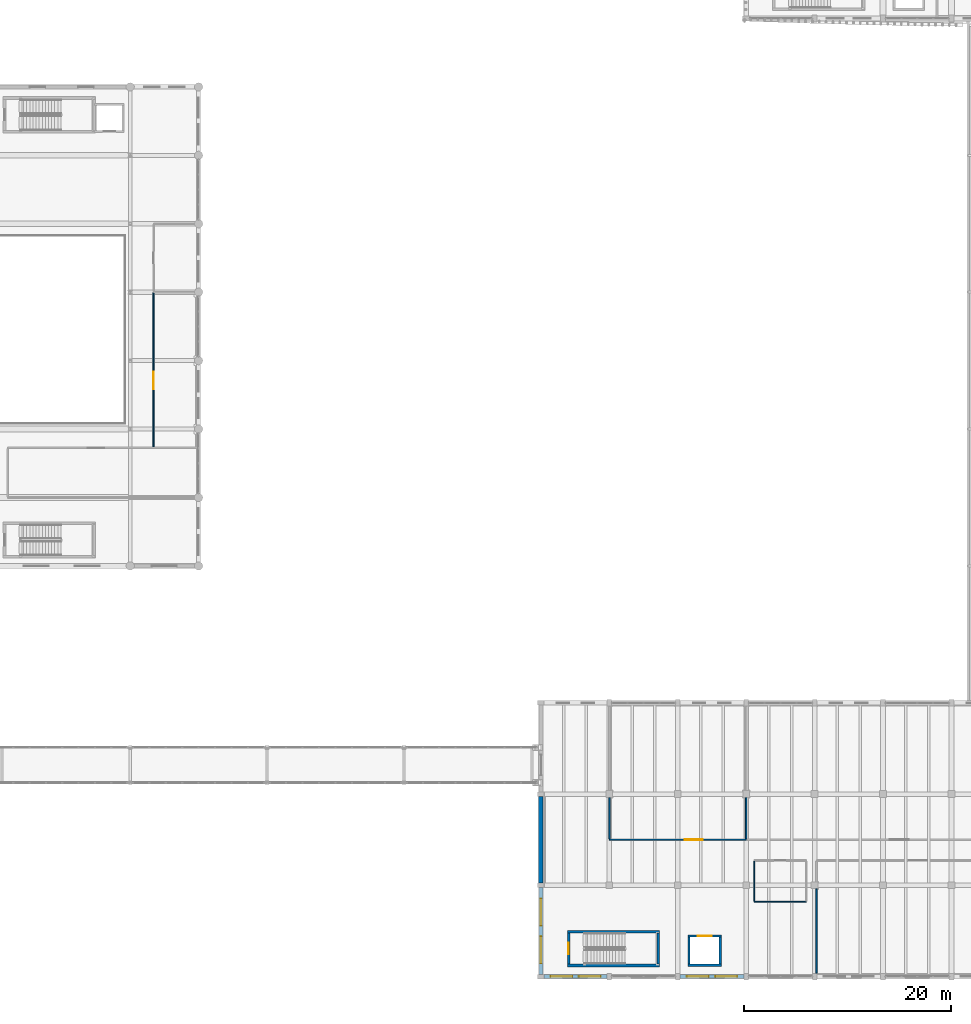
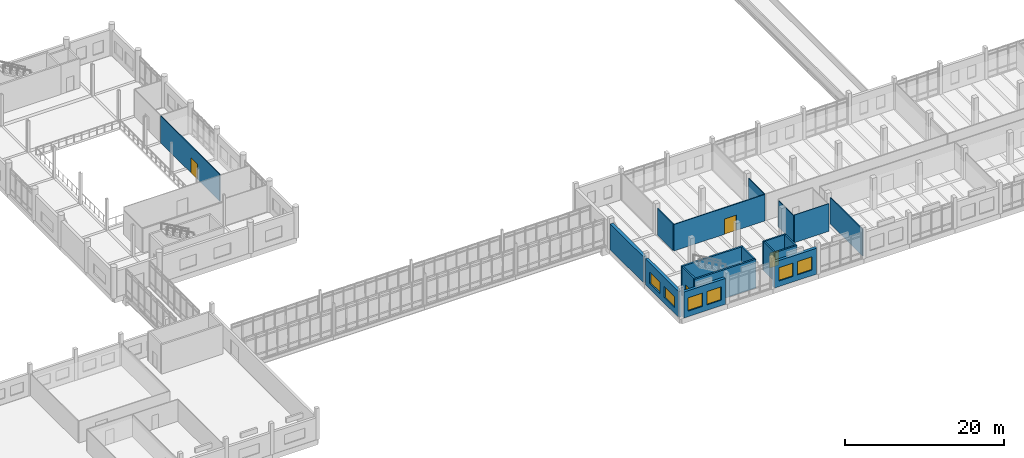
# One storey, part 67 of 101: 19 walls, 6 windows, 4 doors, 10 openings.
"""IFC4 building model written with IfcOpenShell, lengths in metres."""

from ifc_helpers import new_model, si_unit, direction, frame, frame_2d, origin, place, context, subcontext, project, spatial, rectangle, extrude, material, layer, layer_set, type_object, element, fill, save


model = new_model("IFC4")

# Units and contexts
model_context = context("Model", 3, precision=1e-05, world=origin(), true_north=direction((0.0, 1.0)))
body_context = subcontext(model_context, "Body", "Model", "MODEL_VIEW")
ifc_project = project(units=[si_unit("LENGTHUNIT", "METRE"), si_unit("AREAUNIT", "SQUARE_METRE"), si_unit("VOLUMEUNIT", "CUBIC_METRE"), si_unit("PLANEANGLEUNIT", "RADIAN"), si_unit("MASSUNIT", "GRAM", prefix="KILO")], contexts=[model_context])

# Site, building, storey
site_placement = place(None, origin())
site = spatial("IfcSite", under=ifc_project, at=site_placement, CompositionType="ELEMENT")
building_placement = place(site_placement, origin())
building = spatial("IfcBuilding", under=site, at=building_placement, Name="Dornvale Research Institute", CompositionType="ELEMENT")
storey_placement = place(building_placement, frame((0.0, 0.0, 10.199951171875)))
storey = spatial("IfcBuildingStorey", under=building, at=storey_placement, Name="L02", CompositionType="ELEMENT", Elevation=10.199951171875)

# Wall, opening, door
ifc_material_1 = material(Name="Epoxy-Coated Aluminum Honeycomb Cleanroom Partition", Category="aluminium")
ifc_layer_1 = layer(ifc_material_1, 0.139892578125)
ifc_layer_set_1 = layer_set([ifc_layer_1], Name="Epoxy-Coated Aluminum Honeycomb Cleanroom Partition")
wall_type_1 = type_object("IfcWallType", Name="Partition_Cleanroom_140", PredefinedType="PARTITIONING", material=ifc_layer_set_1)
wall_1_placement = place(storey_placement, frame((105.60009765625, 13.199951171875, 0.0), z_axis=(0.0, 0.0, 1.0), x_axis=(1.0, 0.0, 0.0)))
wall_1 = element("IfcWall", 1, at=wall_1_placement, inside=storey, type_object=wall_type_1, Name="L02 V3 interior partition #291", PredefinedType="PARTITIONING", context=body_context, shape_type="SweptSolid", body=[
    extrude(rectangle(XDim=13.199951171875, YDim=0.139892578125, at=frame_2d((6.60009765625, 0.0))), origin(), (0.0, 0.0, 1.0), 4.06494140625),
])
opening_1_placement = place(wall_1_placement, frame((7.2900390625, 0.0, 0.0)))
opening_1 = element("IfcOpeningElement", 2, at=opening_1_placement, cuts=wall_1, Name="Opening ID-03", PredefinedType="OPENING", context=body_context, shape_type="SweptSolid", body=[
    extrude(rectangle(XDim=1.719970703125, YDim=2.35009765625, at=frame_2d((0.85986328125, 1.175048828125))), frame((0.0, 0.0849609375, 0.0), z_axis=(0.0, -1.0, 0.0), x_axis=(1.0, 0.0, 0.0)), (0.0, 0.0, 1.0), 0.169921875),
])
ifc_material_2 = material(Name="Insulated Fire-Rated Hollow Metal Door Assembly")
door_type_1 = type_object("IfcDoorType", Name="Door_CleanBay_1720x2350", OperationType="SINGLE_SWING_LEFT", PredefinedType="DOOR", material=ifc_material_2)
door_1_placement = place(opening_1_placement, origin())
door_1 = element("IfcDoor", 3, at=door_1_placement, inside=storey, type_object=door_type_1, Name="L02 Bio-MEMS Gowning Airlock L02 door #118", OperationType="DOUBLE_DOOR_SINGLE_SWING", OverallHeight=2.35009765625, OverallWidth=1.719970703125, PredefinedType="DOOR", context=body_context, shape_type="SweptSolid", body=[
    extrude(rectangle(XDim=1.719970703125, YDim=2.35009765625, at=frame_2d((0.85986328125, 1.175048828125))), frame((0.0, 0.02490234375, 0.0), z_axis=(0.0, -1.0, 0.0), x_axis=(1.0, 0.0, 0.0)), (0.0, 0.0, 1.0), 0.050048828125),
])
fill(opening_1, door_1)

# Walls
for number, where, z_axis, x_axis, name in (
    (4, (105.60009765625, 13.284912109375, 0.0), (0.0, 0.0, 1.0), (0.0, 1.0, 0.0), "L02 V3 interior partition #292"),
    (5, (118.800048828125, 13.284912109375, 0.0), (0.0, 0.0, 1.0), (0.0, 1.0, 0.0), "L02 V3 interior partition #294"),
):
    element("IfcWall", number, at=place(storey_placement, frame(where, z_axis=z_axis, x_axis=x_axis)), inside=storey, type_object=wall_type_1, Name=name, PredefinedType="PARTITIONING", context=body_context, shape_type="SweptSolid", body=[
        extrude(rectangle(XDim=3.969970703125, YDim=0.139892578125, at=frame_2d((1.98486328125, 0.0))), origin(), (0.0, 0.0, 1.0), 4.06494140625),
    ])
wall_2_placement = place(storey_placement, frame((125.60009765625, 0.344970703125, 0.0), z_axis=(0.0, 0.0, 1.0), x_axis=(0.0, 1.0, 0.0)))
element("IfcWall", 6, at=wall_2_placement, inside=storey, type_object=wall_type_1, Name="L02 V3 interior partition #303", PredefinedType="PARTITIONING", context=body_context, shape_type="SweptSolid", body=[
    extrude(rectangle(XDim=8.110107421875, YDim=0.139892578125, at=frame_2d((4.05517578125, 0.0))), origin(), (0.0, 0.0, 1.0), 4.06494140625),
])

# Wall, opening, door
ifc_material_3 = material(Name="Acoustic Insulated Double-Stud Laboratory Partition")
ifc_layer_2 = layer(ifc_material_3, 0.1201171875)
ifc_layer_set_2 = layer_set([ifc_layer_2], Name="Acoustic Insulated Double-Stud Laboratory Partition")
wall_type_2 = type_object("IfcWallType", Name="Partition_Dry_120", PredefinedType="PARTITIONING", material=ifc_layer_set_2)
wall_3_placement = place(storey_placement, frame((61.64990234375, 51.074951171875, 0.0), z_axis=(0.0, 0.0, 1.0), x_axis=(0.0, 1.0, 0.0)))
wall_3 = element("IfcWall", 7, at=wall_3_placement, inside=storey, type_object=wall_type_2, Name="L02 V2 interior partition #314", PredefinedType="PARTITIONING", context=body_context, shape_type="SweptSolid", body=[
    extrude(rectangle(XDim=14.85009765625, YDim=0.1201171875, at=frame_2d((7.425048828125, 0.0))), origin(), (0.0, 0.0, 1.0), 4.130126953125),
])
opening_2_placement = place(wall_3_placement, frame((5.5849609375, 0.0, 0.0)))
opening_2 = element("IfcOpeningElement", 8, at=opening_2_placement, cuts=wall_3, Name="Opening ID-11", PredefinedType="OPENING", context=body_context, shape_type="SweptSolid", body=[
    extrude(rectangle(XDim=1.679931640625, YDim=2.300048828125, at=frame_2d((0.83984375, 1.14990234375))), frame((0.0, 0.074951171875, 0.0), z_axis=(0.0, -1.0, 0.0), x_axis=(1.0, 0.0, 0.0)), (0.0, 0.0, 1.0), 0.150146484375),
])
ifc_material_4 = material(Name="Phenolic-Faced Solid-Core Laboratory Door Assembly")
door_type_2 = type_object("IfcDoorType", Name="Door_Seminar_1680x2300", OperationType="SINGLE_SWING_LEFT", PredefinedType="DOOR", material=ifc_material_4)
door_2_placement = place(opening_2_placement, origin())
door_2 = element("IfcDoor", 9, at=door_2_placement, inside=storey, type_object=door_type_2, Name="L02 Civic Science Seminar Room L02 door #125", OperationType="DOUBLE_DOOR_SINGLE_SWING", OverallHeight=2.300048828125, OverallWidth=1.679931640625, PredefinedType="DOOR", context=body_context, shape_type="SweptSolid", body=[
    extrude(rectangle(XDim=1.679931640625, YDim=2.300048828125, at=frame_2d((0.83984375, 1.14990234375))), frame((0.0, 0.02490234375, 0.0), z_axis=(0.0, -1.0, 0.0), x_axis=(1.0, 0.0, 0.0)), (0.0, 0.0, 1.0), 0.050048828125),
])
fill(opening_2, door_2)

# Walls
ifc_material_5 = material(Name="Acoustic Insulated Double-Stud Laboratory Partition")
ifc_layer_3 = layer(ifc_material_5, 0.10009765625)
ifc_layer_set_3 = layer_set([ifc_layer_3], Name="Acoustic Insulated Double-Stud Laboratory Partition")
wall_type_3 = type_object("IfcWallType", Name="Partition_Office_100", PredefinedType="PARTITIONING", material=ifc_layer_set_3)
wall_4_placement = place(storey_placement, frame((119.60009765625, 7.199951171875, 0.0), z_axis=(0.0, 0.0, 1.0), x_axis=(1.0, 0.0, 0.0)))
element("IfcWall", 10, at=wall_4_placement, inside=storey, type_object=wall_type_3, Name="L02 V3 interior partition #287", PredefinedType="PARTITIONING", context=body_context, shape_type="SweptSolid", body=[
    extrude(rectangle(XDim=5.0, YDim=0.10009765625, at=frame_2d((2.5, 0.0))), origin(), (0.0, 0.0, 1.0), 4.2451171875),
])
wall_5_placement = place(storey_placement, frame((119.60009765625, 7.264892578125, 0.0), z_axis=(0.0, 0.0, 1.0), x_axis=(0.0, 1.0, 0.0)))
element("IfcWall", 11, at=wall_5_placement, inside=storey, type_object=wall_type_3, Name="L02 V3 interior partition #289", PredefinedType="PARTITIONING", context=body_context, shape_type="SweptSolid", body=[
    extrude(rectangle(XDim=3.8701171875, YDim=0.10009765625, at=frame_2d((1.93505859375, 0.0))), origin(), (0.0, 0.0, 1.0), 4.06494140625),
])
ifc_material_6 = material(Name="Concrete f'c 45 MPa (C35/45)", Category="concrete")
ifc_layer_4 = layer(ifc_material_6, 0.25)
ifc_layer_set_4 = layer_set([ifc_layer_4], Name="Concrete f'c 45 MPa (C35/45)")
wall_type_4 = type_object("IfcWallType", Name="ShearWall_Core_250", PredefinedType="SHEAR", material=ifc_layer_set_4)
for number, where, z_axis, x_axis, name in (
    (12, (101.550048828125, 1.074951171875, 0.0), (0.0, 0.0, 1.0), (1.0, 0.0, 0.0), "L02 ST-5 shaft shear wall south"),
    (13, (101.550048828125, 4.324951171875, 0.0), (0.0, 0.0, 1.0), (1.0, 0.0, 0.0), "L02 ST-5 shaft shear wall north"),
):
    element("IfcWall", number, at=place(storey_placement, frame(where, z_axis=z_axis, x_axis=x_axis)), inside=storey, type_object=wall_type_4, Name=name, PredefinedType="SHEAR", context=body_context, shape_type="SweptSolid", body=[
        extrude(rectangle(XDim=8.89990234375, YDim=0.25, at=frame_2d((4.449951171875, 0.0))), origin(), (0.0, 0.0, 1.0), 4.43994140625),
    ])

# Wall, opening, door
wall_6_placement = place(storey_placement, frame((101.675048828125, 1.199951171875, 0.0), z_axis=(0.0, 0.0, 1.0), x_axis=(0.0, 1.0, 0.0)))
wall_6 = element("IfcWall", 14, at=wall_6_placement, inside=storey, type_object=wall_type_4, Name="L02 ST-5 shaft shear wall west", PredefinedType="SHEAR", context=body_context, shape_type="SweptSolid", body=[
    extrude(rectangle(XDim=3.0, YDim=0.25, at=frame_2d((1.5, 0.0))), origin(), (0.0, 0.0, 1.0), 4.43994140625),
])
opening_3_placement = place(wall_6_placement, frame((0.93994140625, 0.0, 0.0)))
opening_3 = element("IfcOpeningElement", 15, at=opening_3_placement, cuts=wall_6, Name="Opening SD-01", PredefinedType="OPENING", context=body_context, shape_type="SweptSolid", body=[
    extrude(rectangle(XDim=1.1201171875, YDim=2.199951171875, at=frame_2d((0.56005859375, 1.10009765625))), frame((0.0, 0.139892578125, 0.0), z_axis=(0.0, -1.0, 0.0), x_axis=(1.0, 0.0, 0.0)), (0.0, 0.0, 1.0), 0.280029296875),
])
ifc_material_7 = material(Name="Insulated Fire-Rated Hollow Metal Door Assembly")
door_type_3 = type_object("IfcDoorType", Name="Door_Stair_1120x2200", OperationType="SINGLE_SWING_LEFT", PredefinedType="DOOR", material=ifc_material_7)
door_3_placement = place(opening_3_placement, origin())
door_3 = element("IfcDoor", 16, at=door_3_placement, inside=storey, type_object=door_type_3, Name="L02 ST-5 exit stair door #44", OperationType="SINGLE_SWING_RIGHT", OverallHeight=2.199951171875, OverallWidth=1.1201171875, PredefinedType="DOOR", context=body_context, shape_type="SweptSolid", body=[
    extrude(rectangle(XDim=1.1201171875, YDim=2.199951171875, at=frame_2d((0.56005859375, 1.10009765625))), frame((0.0, 0.02490234375, 0.0), z_axis=(0.0, -1.0, 0.0), x_axis=(1.0, 0.0, 0.0)), (0.0, 0.0, 1.0), 0.050048828125),
])
fill(opening_3, door_3)

# Walls
wall_7_placement = place(storey_placement, frame((110.324951171875, 1.199951171875, 0.0), z_axis=(0.0, 0.0, 1.0), x_axis=(0.0, 1.0, 0.0)))
element("IfcWall", 17, at=wall_7_placement, inside=storey, type_object=wall_type_4, Name="L02 ST-5 shaft shear wall east", PredefinedType="SHEAR", context=body_context, shape_type="SweptSolid", body=[
    extrude(rectangle(XDim=3.0, YDim=0.25, at=frame_2d((1.5, 0.0))), origin(), (0.0, 0.0, 1.0), 4.43994140625),
])
ifc_material_8 = material(Name="Concrete f'c 45 MPa (C35/45)", Category="concrete")
ifc_layer_5 = layer(ifc_material_8, 0.219970703125)
ifc_layer_set_5 = layer_set([ifc_layer_5], Name="Concrete f'c 45 MPa (C35/45)")
wall_type_5 = type_object("IfcWallType", Name="ShearWall_Shaft_220", PredefinedType="SHEAR", material=ifc_layer_set_5)
wall_8_placement = place(storey_placement, frame((113.179931640625, 1.090087890625, 0.0), z_axis=(0.0, 0.0, 1.0), x_axis=(1.0, 0.0, 0.0)))
element("IfcWall", 18, at=wall_8_placement, inside=storey, type_object=wall_type_5, Name="L02 LC1 elevator shaft wall south", PredefinedType="SHEAR", context=body_context, shape_type="SweptSolid", body=[
    extrude(rectangle(XDim=3.239990234375, YDim=0.219970703125, at=frame_2d((1.6201171875, 0.0))), origin(), (0.0, 0.0, 1.0), 4.43994140625),
])

# Wall, opening, door
wall_9_placement = place(storey_placement, frame((113.179931640625, 3.909912109375, 0.0), z_axis=(0.0, 0.0, 1.0), x_axis=(1.0, 0.0, 0.0)))
wall_9 = element("IfcWall", 19, at=wall_9_placement, inside=storey, type_object=wall_type_5, Name="L02 LC1 elevator shaft wall north", PredefinedType="SHEAR", context=body_context, shape_type="SweptSolid", body=[
    extrude(rectangle(XDim=3.239990234375, YDim=0.219970703125, at=frame_2d((1.6201171875, 0.0))), origin(), (0.0, 0.0, 1.0), 4.43994140625),
])
opening_4_placement = place(wall_9_placement, frame((0.945068359375, 0.0, 0.0)))
opening_4 = element("IfcOpeningElement", 20, at=opening_4_placement, cuts=wall_9, Name="Opening LD-04", PredefinedType="OPENING", context=body_context, shape_type="SweptSolid", body=[
    extrude(rectangle(XDim=1.35009765625, YDim=2.300048828125, at=frame_2d((0.675048828125, 1.14990234375))), frame((0.0, 0.125, 0.0), z_axis=(0.0, -1.0, 0.0), x_axis=(1.0, 0.0, 0.0)), (0.0, 0.0, 1.0), 0.25),
])
ifc_material_9 = material(Name="Brushed Stainless Steel Sliding Elevator Landing Door", Category="steel")
door_type_4 = type_object("IfcDoorType", Name="Door_LiftLanding_Clean_1350x2300", OperationType="SINGLE_SWING_LEFT", PredefinedType="DOOR", material=ifc_material_9)
door_4_placement = place(opening_4_placement, origin())
door_4 = element("IfcDoor", 21, at=door_4_placement, inside=storey, type_object=door_type_4, Name="L02 LC1 sliding elevator landing door #56", OperationType="SLIDING_TO_LEFT", OverallHeight=2.300048828125, OverallWidth=1.35009765625, PredefinedType="DOOR", context=body_context, shape_type="SweptSolid", body=[
    extrude(rectangle(XDim=1.35009765625, YDim=2.300048828125, at=frame_2d((0.675048828125, 1.14990234375))), frame((0.0, 0.02490234375, 0.0), z_axis=(0.0, -1.0, 0.0), x_axis=(1.0, 0.0, 0.0)), (0.0, 0.0, 1.0), 0.050048828125),
])
fill(opening_4, door_4)

# Walls
for number, where, z_axis, x_axis, name in (
    (22, (113.2900390625, 1.199951171875, 0.0), (0.0, 0.0, 1.0), (0.0, 1.0, 0.0), "L02 LC1 elevator shaft wall west"),
    (23, (116.31005859375, 1.199951171875, 0.0), (0.0, 0.0, 1.0), (0.0, 1.0, 0.0), "L02 LC1 elevator shaft wall east"),
):
    element("IfcWall", number, at=place(storey_placement, frame(where, z_axis=z_axis, x_axis=x_axis)), inside=storey, type_object=wall_type_5, Name=name, PredefinedType="SHEAR", context=body_context, shape_type="SweptSolid", body=[
        extrude(rectangle(XDim=2.60009765625, YDim=0.219970703125, at=frame_2d((1.300048828125, 0.0))), origin(), (0.0, 0.0, 1.0), 4.43994140625),
    ])
ifc_material_10 = material(Name="Precast Concrete f'c 40 MPa (C32/40) and Glazed Terracotta Backup Wall", Category="masonry")
ifc_layer_6 = layer(ifc_material_10, 0.449951171875)
ifc_layer_set_6 = layer_set([ifc_layer_6], Name="Precast Concrete f'c 40 MPa (C32/40) and Glazed Terracotta Backup Wall")
wall_type_6 = type_object("IfcWallType", Name="SolidWall_ShearBraceBay_450", PredefinedType="SOLIDWALL", material=ifc_layer_set_6)
wall_10_placement = place(storey_placement, frame((99.0, 9.02490234375, 0.0), z_axis=(0.0, 0.0, 1.0), x_axis=(0.0, 1.0, 0.0)))
element("IfcWall", 24, at=wall_10_placement, inside=storey, type_object=wall_type_6, Name="L02 V3 west exterior wall #149", PredefinedType="SOLIDWALL", context=body_context, shape_type="SweptSolid", body=[
    extrude(rectangle(XDim=8.35009765625, YDim=0.449951171875, at=frame_2d((4.175048828125, 0.0))), origin(), (0.0, 0.0, 1.0), 3.97998046875),
])

# Wall, openings, windows
ifc_material_11 = material(Name="Precast Concrete f'c 40 MPa (C32/40) and Glazed Terracotta Backup Wall", Category="masonry")
ifc_layer_7 = layer(ifc_material_11, 0.39990234375)
ifc_layer_set_7 = layer_set([ifc_layer_7], Name="Precast Concrete f'c 40 MPa (C32/40) and Glazed Terracotta Backup Wall")
wall_type_7 = type_object("IfcWallType", Name="StandardWall_CleanroomExt_400", PredefinedType="STANDARD", material=ifc_layer_set_7)
wall_11_placement = place(storey_placement, frame((99.0, 0.22509765625, 0.0), z_axis=(0.0, 0.0, 1.0), x_axis=(0.0, 1.0, 0.0)))
wall_11 = element("IfcWall", 25, at=wall_11_placement, inside=storey, type_object=wall_type_7, Name="L02 V3 west exterior wall #148", PredefinedType="STANDARD", context=body_context, shape_type="SweptSolid", body=[
    extrude(rectangle(XDim=8.349853515625, YDim=0.39990234375, at=frame_2d((4.1748046875, 0.0))), origin(), (0.0, 0.0, 1.0), 3.97998046875),
])
opening_5_placement = place(wall_11_placement, frame((1.050048828125, 0.0, 0.85009765625)))
opening_5 = element("IfcOpeningElement", 26, at=opening_5_placement, cuts=wall_11, Name="Opening W-22", PredefinedType="OPENING", context=body_context, shape_type="SweptSolid", body=[
    extrude(rectangle(XDim=2.60009765625, YDim=1.699951171875, at=frame_2d((1.300048828125, 0.85009765625))), frame((0.0, 0.21484375, 0.0), z_axis=(0.0, -1.0, 0.0), x_axis=(1.0, 0.0, 0.0)), (0.0, 0.0, 1.0), 0.429931640625),
])
opening_6_placement = place(wall_11_placement, frame((4.699951171875, 0.0, 0.85009765625)))
opening_6 = element("IfcOpeningElement", 27, at=opening_6_placement, cuts=wall_11, Name="Opening W-22", PredefinedType="OPENING", context=body_context, shape_type="SweptSolid", body=[
    extrude(rectangle(XDim=2.60009765625, YDim=1.699951171875, at=frame_2d((1.300048828125, 0.85009765625))), frame((0.0, 0.21484375, 0.0), z_axis=(0.0, -1.0, 0.0), x_axis=(1.0, 0.0, 0.0)), (0.0, 0.0, 1.0), 0.429931640625),
])
ifc_material_12 = material(Name="Low-E Argon Double Insulating Glazing Unit", Category="glass")
window_type_1 = type_object("IfcWindowType", Name="Window_Alu_2600x1700_22", PartitioningType="DOUBLE_PANEL_VERTICAL", PredefinedType="WINDOW", material=ifc_material_12)
window_1_placement = place(opening_5_placement, origin())
window_1 = element("IfcWindow", 28, at=window_1_placement, inside=storey, type_object=window_type_1, Name="L02 V3 facade window W-22 #190", OverallHeight=1.699951171875, OverallWidth=2.60009765625, PartitioningType="DOUBLE_PANEL_VERTICAL", PredefinedType="WINDOW", context=body_context, shape_type="SweptSolid", body=[
    extrude(rectangle(XDim=2.60009765625, YDim=1.699951171875, at=frame_2d((1.300048828125, 0.85009765625))), frame((0.0, 0.030029296875, 0.0), z_axis=(0.0, -1.0, 0.0), x_axis=(1.0, 0.0, 0.0)), (0.0, 0.0, 1.0), 0.06005859375),
])
fill(opening_5, window_1)
window_2_placement = place(opening_6_placement, origin())
window_2 = element("IfcWindow", 29, at=window_2_placement, inside=storey, type_object=window_type_1, Name="L02 V3 facade window W-22 #191", OverallHeight=1.699951171875, OverallWidth=2.60009765625, PartitioningType="DOUBLE_PANEL_VERTICAL", PredefinedType="WINDOW", context=body_context, shape_type="SweptSolid", body=[
    extrude(rectangle(XDim=2.60009765625, YDim=1.699951171875, at=frame_2d((1.300048828125, 0.85009765625))), frame((0.0, 0.030029296875, 0.0), z_axis=(0.0, -1.0, 0.0), x_axis=(1.0, 0.0, 0.0)), (0.0, 0.0, 1.0), 0.06005859375),
])
fill(opening_6, window_2)

wall_12_placement = place(storey_placement, frame((118.574951171875, 0.0, 0.0), z_axis=(0.0, 0.0, 1.0), x_axis=(-1.0, 0.0, 0.0)))
wall_12 = element("IfcWall", 30, at=wall_12_placement, inside=storey, type_object=wall_type_7, Name="L02 V3 south exterior wall #164", PredefinedType="STANDARD", context=body_context, shape_type="SweptSolid", body=[
    extrude(rectangle(XDim=6.14990234375, YDim=0.39990234375, at=frame_2d((3.074951171875, 0.0))), origin(), (0.0, 0.0, 1.0), 3.97998046875),
])
opening_7_placement = place(wall_12_placement, frame((0.64990234375, 0.0, 0.85009765625)))
opening_7 = element("IfcOpeningElement", 31, at=opening_7_placement, cuts=wall_12, Name="Opening W-31", PredefinedType="OPENING", context=body_context, shape_type="SweptSolid", body=[
    extrude(rectangle(XDim=2.10009765625, YDim=2.0400390625, at=frame_2d((1.050048828125, 1.02001953125))), frame((0.0, 0.21484375, 0.0), z_axis=(0.0, -1.0, 0.0), x_axis=(1.0, 0.0, 0.0)), (0.0, 0.0, 1.0), 0.429931640625),
])
opening_8_placement = place(wall_12_placement, frame((3.39990234375, 0.0, 0.85009765625)))
opening_8 = element("IfcOpeningElement", 32, at=opening_8_placement, cuts=wall_12, Name="Opening W-31", PredefinedType="OPENING", context=body_context, shape_type="SweptSolid", body=[
    extrude(rectangle(XDim=2.10009765625, YDim=2.0400390625, at=frame_2d((1.050048828125, 1.02001953125))), frame((0.0, 0.21484375, 0.0), z_axis=(0.0, -1.0, 0.0), x_axis=(1.0, 0.0, 0.0)), (0.0, 0.0, 1.0), 0.429931640625),
])
ifc_material_13 = material(Name="Low-E Argon Double Insulating Glazing Unit", Category="glass")
window_type_2 = type_object("IfcWindowType", Name="Window_Alu_2100x2040_31", PartitioningType="DOUBLE_PANEL_VERTICAL", PredefinedType="WINDOW", material=ifc_material_13)
window_3_placement = place(opening_7_placement, origin())
window_3 = element("IfcWindow", 33, at=window_3_placement, inside=storey, type_object=window_type_2, Name="L02 V3 facade window W-31 #218", OverallHeight=2.0400390625, OverallWidth=2.10009765625, PartitioningType="DOUBLE_PANEL_VERTICAL", PredefinedType="WINDOW", context=body_context, shape_type="SweptSolid", body=[
    extrude(rectangle(XDim=2.10009765625, YDim=2.0400390625, at=frame_2d((1.050048828125, 1.02001953125))), frame((0.0, 0.030029296875, 0.0), z_axis=(0.0, -1.0, 0.0), x_axis=(1.0, 0.0, 0.0)), (0.0, 0.0, 1.0), 0.06005859375),
])
fill(opening_7, window_3)
window_4_placement = place(opening_8_placement, origin())
window_4 = element("IfcWindow", 34, at=window_4_placement, inside=storey, type_object=window_type_2, Name="L02 V3 facade window W-31 #219", OverallHeight=2.0400390625, OverallWidth=2.10009765625, PartitioningType="DOUBLE_PANEL_VERTICAL", PredefinedType="WINDOW", context=body_context, shape_type="SweptSolid", body=[
    extrude(rectangle(XDim=2.10009765625, YDim=2.0400390625, at=frame_2d((1.050048828125, 1.02001953125))), frame((0.0, 0.030029296875, 0.0), z_axis=(0.0, -1.0, 0.0), x_axis=(1.0, 0.0, 0.0)), (0.0, 0.0, 1.0), 0.06005859375),
])
fill(opening_8, window_4)

wall_13_placement = place(storey_placement, frame((105.375, 0.0, 0.0), z_axis=(0.0, 0.0, 1.0), x_axis=(-1.0, 0.0, 0.0)))
wall_13 = element("IfcWall", 35, at=wall_13_placement, inside=storey, type_object=wall_type_7, Name="L02 V3 south exterior wall #165", PredefinedType="STANDARD", context=body_context, shape_type="SweptSolid", body=[
    extrude(rectangle(XDim=6.050048828125, YDim=0.39990234375, at=frame_2d((3.02490234375, 0.0))), origin(), (0.0, 0.0, 1.0), 3.97998046875),
])
opening_9_placement = place(wall_13_placement, frame((0.61669921875, 0.0, 0.85009765625)))
opening_9 = element("IfcOpeningElement", 36, at=opening_9_placement, cuts=wall_13, Name="Opening W-31", PredefinedType="OPENING", context=body_context, shape_type="SweptSolid", body=[
    extrude(rectangle(XDim=2.10009765625, YDim=2.0400390625, at=frame_2d((1.050048828125, 1.02001953125))), frame((0.0, 0.21484375, 0.0), z_axis=(0.0, -1.0, 0.0), x_axis=(1.0, 0.0, 0.0)), (0.0, 0.0, 1.0), 0.429931640625),
])
opening_10_placement = place(wall_13_placement, frame((3.33349609375, 0.0, 0.85009765625)))
opening_10 = element("IfcOpeningElement", 37, at=opening_10_placement, cuts=wall_13, Name="Opening W-31", PredefinedType="OPENING", context=body_context, shape_type="SweptSolid", body=[
    extrude(rectangle(XDim=2.10009765625, YDim=2.0400390625, at=frame_2d((1.050048828125, 1.02001953125))), frame((0.0, 0.21484375, 0.0), z_axis=(0.0, -1.0, 0.0), x_axis=(1.0, 0.0, 0.0)), (0.0, 0.0, 1.0), 0.429931640625),
])
window_5_placement = place(opening_9_placement, origin())
window_5 = element("IfcWindow", 38, at=window_5_placement, inside=storey, type_object=window_type_2, Name="L02 V3 facade window W-31 #220", OverallHeight=2.0400390625, OverallWidth=2.10009765625, PartitioningType="DOUBLE_PANEL_VERTICAL", PredefinedType="WINDOW", context=body_context, shape_type="SweptSolid", body=[
    extrude(rectangle(XDim=2.10009765625, YDim=2.0400390625, at=frame_2d((1.050048828125, 1.02001953125))), frame((0.0, 0.030029296875, 0.0), z_axis=(0.0, -1.0, 0.0), x_axis=(1.0, 0.0, 0.0)), (0.0, 0.0, 1.0), 0.06005859375),
])
fill(opening_9, window_5)
window_6_placement = place(opening_10_placement, origin())
window_6 = element("IfcWindow", 39, at=window_6_placement, inside=storey, type_object=window_type_2, Name="L02 V3 facade window W-31 #221", OverallHeight=2.0400390625, OverallWidth=2.10009765625, PartitioningType="DOUBLE_PANEL_VERTICAL", PredefinedType="WINDOW", context=body_context, shape_type="SweptSolid", body=[
    extrude(rectangle(XDim=2.10009765625, YDim=2.0400390625, at=frame_2d((1.050048828125, 1.02001953125))), frame((0.0, 0.030029296875, 0.0), z_axis=(0.0, -1.0, 0.0), x_axis=(1.0, 0.0, 0.0)), (0.0, 0.0, 1.0), 0.06005859375),
])
fill(opening_10, window_6)

save(model, "model.ifc")
